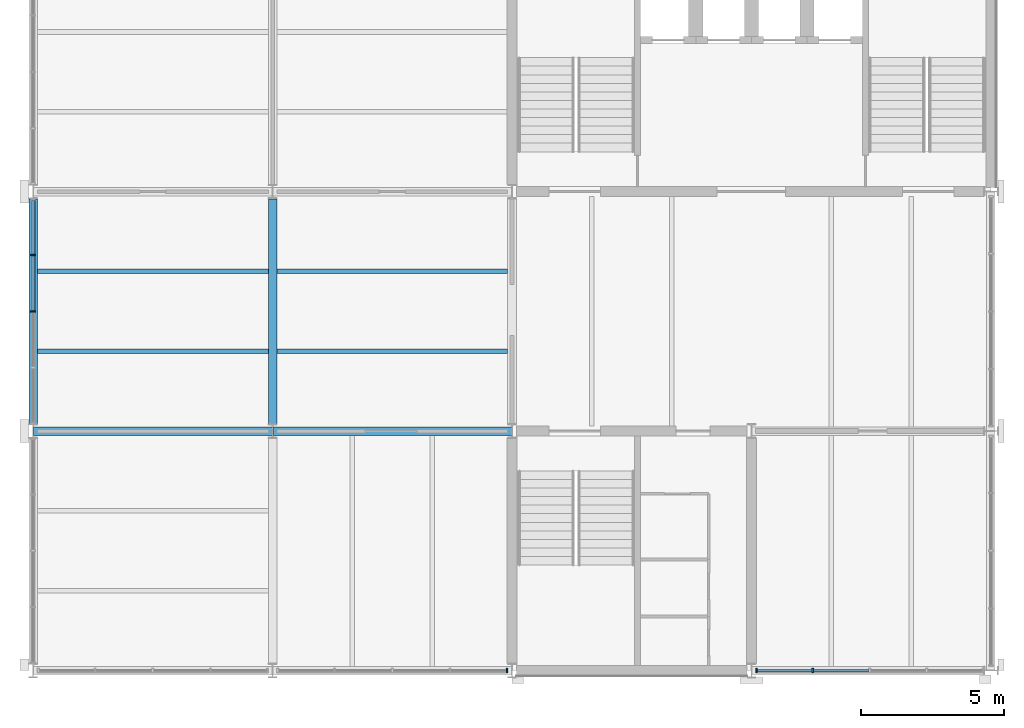
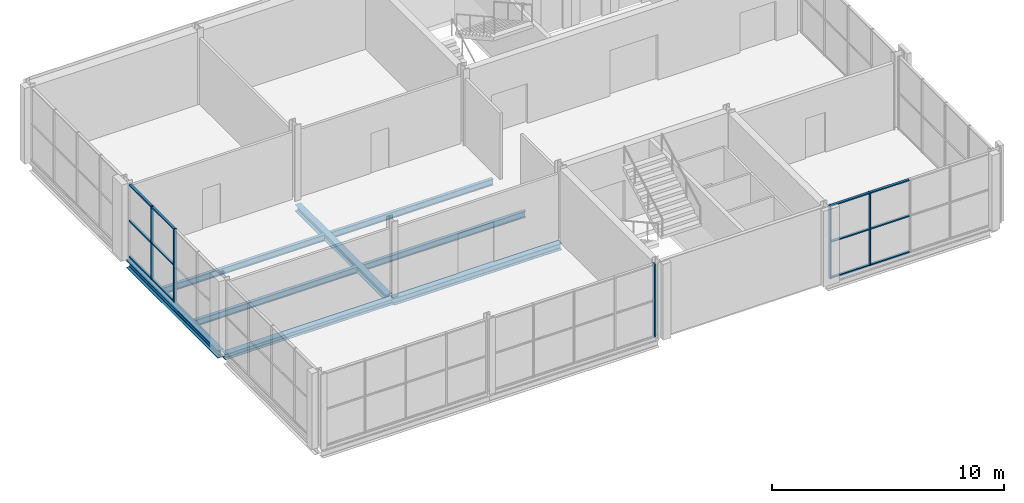
# One storey, part 3 of 12: 17 members, 8 beams, 3 elements without a shape of their own.
"""IFC4 building model written with IfcOpenShell, lengths in metres."""

from ifc_helpers import new_model, si_unit, direction, frame, origin, origin_2d, place, context, subcontext, project, spatial, rectangle, i_section, extrude, material, layer, layer_set, material_profile, profile_set, type_object, element, aggregate, save


model = new_model("IFC4")

# Units and contexts
model_context = context("Model", 3, precision=1e-05, world=origin(), true_north=direction((0.0, 1.0)))
body_context = subcontext(model_context, "Body", "Model", "MODEL_VIEW")
ifc_project = project(units=[si_unit("LENGTHUNIT", "METRE"), si_unit("AREAUNIT", "SQUARE_METRE"), si_unit("VOLUMEUNIT", "CUBIC_METRE"), si_unit("PLANEANGLEUNIT", "RADIAN"), si_unit("MASSUNIT", "GRAM", prefix="KILO")], contexts=[model_context])

# Site, building, storey
site_placement = place(None, origin())
site = spatial("IfcSite", under=ifc_project, at=site_placement, CompositionType="ELEMENT")
building_placement = place(site_placement, origin())
building = spatial("IfcBuilding", under=site, at=building_placement, Name="Galleria Vessillo Department Store", CompositionType="ELEMENT")
storey_placement = place(building_placement, frame((0.0, 0.0, 39.60009765625)))
storey = spatial("IfcBuildingStorey", under=building, at=storey_placement, Name="L08", CompositionType="ELEMENT", Elevation=39.60009765625)

# Curtain wall, members
ifc_material_1 = material(Name="Aluminium and glass curtain wall", Category="aluminium")
ifc_layer = layer(ifc_material_1, 0.159912109375)
ifc_layer_set = layer_set([ifc_layer], Name="Aluminium and glass curtain wall")
curtain_wall_type = type_object("IfcCurtainWallType", Name="Tower curtain wall CW4 2100 module", PredefinedType="NOTDEFINED", material=ifc_layer_set)
curtain_wall_1_placement = place(storey_placement, origin())
curtain_wall_1 = element("IfcCurtainWall", 1, at=curtain_wall_1_placement, inside=storey, type_object=curtain_wall_type, Name="Tower curtain wall CW4 2100 module TW-L08-02", PredefinedType="NOTDEFINED")
ifc_material_2 = material(Name="Aluminium alloy 6063 T6", Category="aluminium")
ifc_material_profile_1 = material_profile(ifc_material_2, rectangle(XDim=0.159912109375, YDim=0.06005859375, at=origin_2d()), Name="AL 60x160")
ifc_profile_set_1 = profile_set([ifc_material_profile_1], Name="Aluminium alloy 6063 T6")
member_type_1 = type_object("IfcMemberType", Name="Aluminium mullion 60 x 160", PredefinedType="MULLION", material=ifc_profile_set_1)
member_1_placement = place(storey_placement, frame((84.0, 50.39990234375, 0.0), z_axis=(0.0, 0.0, 1.0), x_axis=(-1.0, 0.0, 0.0)))
member_1 = element("IfcMember", 2, at=member_1_placement, type_object=member_type_1, Name="CW4 mullion 3", PredefinedType="MULLION", context=body_context, shape_type="SweptSolid", body=[
    extrude(rectangle(XDim=0.159912109375, YDim=0.06005859375, at=origin_2d()), origin(), (0.0, 0.0, 1.0), 3.85009765625),
])
member_2_placement = place(storey_placement, frame((84.0, 52.375, 0.0), z_axis=(0.0, 0.0, 1.0), x_axis=(-1.0, 0.0, 0.0)))
member_2 = element("IfcMember", 3, at=member_2_placement, type_object=member_type_1, Name="CW4 mullion 4", PredefinedType="MULLION", context=body_context, shape_type="SweptSolid", body=[
    extrude(rectangle(XDim=0.159912109375, YDim=0.06005859375, at=origin_2d()), origin(), (0.0, 0.0, 1.0), 3.85009765625),
])

# Curtain wall, member
curtain_wall_2_placement = place(storey_placement, origin())
curtain_wall_2 = element("IfcCurtainWall", 4, at=curtain_wall_2_placement, inside=storey, type_object=curtain_wall_type, Name="Tower curtain wall CW4 2100 module TS-L08-02", PredefinedType="NOTDEFINED")
member_3_placement = place(storey_placement, frame((100.6201171875, 37.800048828125, 0.0), z_axis=(0.0, 0.0, 1.0), x_axis=(0.0, 1.0, 0.0)))
member_3 = element("IfcMember", 5, at=member_3_placement, type_object=member_type_1, Name="CW4 mullion 5", PredefinedType="MULLION", context=body_context, shape_type="SweptSolid", body=[
    extrude(rectangle(XDim=0.159912109375, YDim=0.06005859375, at=origin_2d()), origin(), (0.0, 0.0, 1.0), 3.85009765625),
])
aggregate(curtain_wall_2, [member_3])

# Curtain wall, members
curtain_wall_3_placement = place(storey_placement, origin())
curtain_wall_3 = element("IfcCurtainWall", 6, at=curtain_wall_3_placement, inside=storey, type_object=curtain_wall_type, Name="Tower curtain wall CW4 2100 module TS-L08-03", PredefinedType="NOTDEFINED")
member_4_placement = place(storey_placement, frame((109.3798828125, 37.800048828125, 0.0), z_axis=(0.0, 0.0, 1.0), x_axis=(0.0, 1.0, 0.0)))
member_4 = element("IfcMember", 7, at=member_4_placement, type_object=member_type_1, Name="CW4 mullion 1", PredefinedType="MULLION", context=body_context, shape_type="SweptSolid", body=[
    extrude(rectangle(XDim=0.159912109375, YDim=0.06005859375, at=origin_2d()), origin(), (0.0, 0.0, 1.0), 3.85009765625),
])
member_5_placement = place(storey_placement, frame((111.349853515625, 37.800048828125, 0.0), z_axis=(0.0, 0.0, 1.0), x_axis=(0.0, 1.0, 0.0)))
member_5 = element("IfcMember", 8, at=member_5_placement, type_object=member_type_1, Name="CW4 mullion 2", PredefinedType="MULLION", context=body_context, shape_type="SweptSolid", body=[
    extrude(rectangle(XDim=0.159912109375, YDim=0.06005859375, at=origin_2d()), origin(), (0.0, 0.0, 1.0), 3.85009765625),
])

# Member
ifc_material_3 = material(Name="Aluminium alloy 6063 T6", Category="aluminium")
ifc_material_profile_2 = material_profile(ifc_material_3, rectangle(XDim=0.1201171875, YDim=0.06005859375, at=origin_2d()), Name="AL 60x120")
ifc_profile_set_2 = profile_set([ifc_material_profile_2], Name="Aluminium alloy 6063 T6")
member_type_2 = type_object("IfcMemberType", Name="Aluminium transom 60 x 120", PredefinedType="USERDEFINED", material=ifc_profile_set_2)
member_6_placement = place(storey_placement, frame((84.0, 50.429931640625, 0.030029296875), z_axis=(0.0, 1.0, 0.0), x_axis=(-1.0, 0.0, 0.0)))
member_6 = element("IfcMember", 9, at=member_6_placement, type_object=member_type_2, Name="CW4 transom 3.1", ObjectType="TRANSOM", PredefinedType="USERDEFINED", context=body_context, shape_type="SweptSolid", body=[
    extrude(rectangle(XDim=0.1201171875, YDim=0.06005859375, at=origin_2d()), origin(), (0.0, 0.0, 1.0), 1.9150390625),
])

member_7_placement = place(storey_placement, frame((84.0, 50.429931640625, 1.925048828125), z_axis=(0.0, 1.0, 0.0), x_axis=(-1.0, 0.0, 0.0)))
member_7 = element("IfcMember", 10, at=member_7_placement, type_object=member_type_2, Name="CW4 transom 3.2", ObjectType="TRANSOM", PredefinedType="USERDEFINED", context=body_context, shape_type="SweptSolid", body=[
    extrude(rectangle(XDim=0.1201171875, YDim=0.06005859375, at=origin_2d()), origin(), (0.0, 0.0, 1.0), 1.9150390625),
])

member_8_placement = place(storey_placement, frame((84.0, 50.429931640625, 3.820068359375), z_axis=(0.0, 1.0, 0.0), x_axis=(-1.0, 0.0, 0.0)))
member_8 = element("IfcMember", 11, at=member_8_placement, type_object=member_type_2, Name="CW4 transom 3.3", ObjectType="TRANSOM", PredefinedType="USERDEFINED", context=body_context, shape_type="SweptSolid", body=[
    extrude(rectangle(XDim=0.1201171875, YDim=0.06005859375, at=origin_2d()), origin(), (0.0, 0.0, 1.0), 1.9150390625),
])

member_9_placement = place(storey_placement, frame((84.0, 52.405029296875, 0.030029296875), z_axis=(0.0, 1.0, 0.0), x_axis=(-1.0, 0.0, 0.0)))
member_9 = element("IfcMember", 12, at=member_9_placement, type_object=member_type_2, Name="CW4 transom 4.1", ObjectType="TRANSOM", PredefinedType="USERDEFINED", context=body_context, shape_type="SweptSolid", body=[
    extrude(rectangle(XDim=0.1201171875, YDim=0.06005859375, at=origin_2d()), origin(), (0.0, 0.0, 1.0), 1.885009765625),
])

member_10_placement = place(storey_placement, frame((84.0, 52.405029296875, 1.925048828125), z_axis=(0.0, 1.0, 0.0), x_axis=(-1.0, 0.0, 0.0)))
member_10 = element("IfcMember", 13, at=member_10_placement, type_object=member_type_2, Name="CW4 transom 4.2", ObjectType="TRANSOM", PredefinedType="USERDEFINED", context=body_context, shape_type="SweptSolid", body=[
    extrude(rectangle(XDim=0.1201171875, YDim=0.06005859375, at=origin_2d()), origin(), (0.0, 0.0, 1.0), 1.885009765625),
])

member_11_placement = place(storey_placement, frame((84.0, 52.405029296875, 3.820068359375), z_axis=(0.0, 1.0, 0.0), x_axis=(-1.0, 0.0, 0.0)))
member_11 = element("IfcMember", 14, at=member_11_placement, type_object=member_type_2, Name="CW4 transom 4.3", ObjectType="TRANSOM", PredefinedType="USERDEFINED", context=body_context, shape_type="SweptSolid", body=[
    extrude(rectangle(XDim=0.1201171875, YDim=0.06005859375, at=origin_2d()), origin(), (0.0, 0.0, 1.0), 1.885009765625),
])

aggregate(curtain_wall_1, [member_1, member_2, member_6, member_7, member_8, member_9, member_10, member_11])

member_12_placement = place(storey_placement, frame((109.409912109375, 37.800048828125, 0.030029296875), z_axis=(1.0, 0.0, 0.0), x_axis=(0.0, 1.0, 0.0)))
member_12 = element("IfcMember", 15, at=member_12_placement, type_object=member_type_2, Name="CW4 transom 1.1", ObjectType="TRANSOM", PredefinedType="USERDEFINED", context=body_context, shape_type="SweptSolid", body=[
    extrude(rectangle(XDim=0.1201171875, YDim=0.06005859375, at=origin_2d()), origin(), (0.0, 0.0, 1.0), 1.909912109375),
])

member_13_placement = place(storey_placement, frame((109.409912109375, 37.800048828125, 1.925048828125), z_axis=(1.0, 0.0, 0.0), x_axis=(0.0, 1.0, 0.0)))
member_13 = element("IfcMember", 16, at=member_13_placement, type_object=member_type_2, Name="CW4 transom 1.2", ObjectType="TRANSOM", PredefinedType="USERDEFINED", context=body_context, shape_type="SweptSolid", body=[
    extrude(rectangle(XDim=0.1201171875, YDim=0.06005859375, at=origin_2d()), origin(), (0.0, 0.0, 1.0), 1.909912109375),
])

member_14_placement = place(storey_placement, frame((109.409912109375, 37.800048828125, 3.820068359375), z_axis=(1.0, 0.0, 0.0), x_axis=(0.0, 1.0, 0.0)))
member_14 = element("IfcMember", 17, at=member_14_placement, type_object=member_type_2, Name="CW4 transom 1.3", ObjectType="TRANSOM", PredefinedType="USERDEFINED", context=body_context, shape_type="SweptSolid", body=[
    extrude(rectangle(XDim=0.1201171875, YDim=0.06005859375, at=origin_2d()), origin(), (0.0, 0.0, 1.0), 1.909912109375),
])

member_15_placement = place(storey_placement, frame((111.3798828125, 37.800048828125, 0.030029296875), z_axis=(1.0, 0.0, 0.0), x_axis=(0.0, 1.0, 0.0)))
member_15 = element("IfcMember", 18, at=member_15_placement, type_object=member_type_2, Name="CW4 transom 2.1", ObjectType="TRANSOM", PredefinedType="USERDEFINED", context=body_context, shape_type="SweptSolid", body=[
    extrude(rectangle(XDim=0.1201171875, YDim=0.06005859375, at=origin_2d()), origin(), (0.0, 0.0, 1.0), 1.940185546875),
])

member_16_placement = place(storey_placement, frame((111.3798828125, 37.800048828125, 1.925048828125), z_axis=(1.0, 0.0, 0.0), x_axis=(0.0, 1.0, 0.0)))
member_16 = element("IfcMember", 19, at=member_16_placement, type_object=member_type_2, Name="CW4 transom 2.2", ObjectType="TRANSOM", PredefinedType="USERDEFINED", context=body_context, shape_type="SweptSolid", body=[
    extrude(rectangle(XDim=0.1201171875, YDim=0.06005859375, at=origin_2d()), origin(), (0.0, 0.0, 1.0), 1.940185546875),
])

member_17_placement = place(storey_placement, frame((111.3798828125, 37.800048828125, 3.820068359375), z_axis=(1.0, 0.0, 0.0), x_axis=(0.0, 1.0, 0.0)))
member_17 = element("IfcMember", 20, at=member_17_placement, type_object=member_type_2, Name="CW4 transom 2.3", ObjectType="TRANSOM", PredefinedType="USERDEFINED", context=body_context, shape_type="SweptSolid", body=[
    extrude(rectangle(XDim=0.1201171875, YDim=0.06005859375, at=origin_2d()), origin(), (0.0, 0.0, 1.0), 1.940185546875),
])

aggregate(curtain_wall_3, [member_4, member_5, member_12, member_13, member_14, member_15, member_16, member_17])

# Beams
ifc_material_4 = material(Name="Steel S355 J2", Category="steel")
ifc_material_profile_3 = material_profile(ifc_material_4, i_section(OverallWidth=0.300048828125, OverallDepth=0.35009765625, WebThickness=0.010009765625, FlangeThickness=0.017578125, FilletRadius=0.027099609375, at=origin_2d()), Name="HEA 360")
ifc_profile_set_3 = profile_set([ifc_material_profile_3], Name="Steel S355 J2")
beam_type_1 = type_object("IfcBeamType", Name="Floor girder HEA 360", PredefinedType="BEAM", material=ifc_profile_set_3)
beam_1_placement = place(storey_placement, frame((92.407470703125, 46.199951171875, -0.324951171875), z_axis=(1.0, 0.0, 0.0), x_axis=(0.0, 1.0, 0.0)))
element("IfcBeam", 21, at=beam_1_placement, inside=storey, type_object=beam_type_1, Name="S-BM-L08-GI-x46200-92407", PredefinedType="BEAM", context=body_context, shape_type="SweptSolid", body=[
    extrude(i_section(OverallWidth=0.300048828125, OverallDepth=0.35009765625, WebThickness=0.010009765625, FlangeThickness=0.017578125, FilletRadius=0.027099609375, at=origin_2d()), origin(), (0.0, 0.0, 1.0), 8.38525390625),
])
beam_2_placement = place(storey_placement, frame((92.39990234375, 46.4501953125, -0.324951171875), z_axis=(0.0, 1.0, 0.0), x_axis=(-1.0, 0.0, 0.0)))
element("IfcBeam", 22, at=beam_2_placement, inside=storey, type_object=beam_type_1, Name="S-BM-L08-GI-y92400-46450", PredefinedType="BEAM", context=body_context, shape_type="SweptSolid", body=[
    extrude(i_section(OverallWidth=0.300048828125, OverallDepth=0.35009765625, WebThickness=0.010009765625, FlangeThickness=0.017578125, FilletRadius=0.027099609375, at=origin_2d()), origin(), (0.0, 0.0, 1.0), 7.899658203125),
])
ifc_material_5 = material(Name="Steel S355 J2", Category="steel")
ifc_material_profile_4 = material_profile(ifc_material_5, i_section(OverallWidth=0.159912109375, OverallDepth=0.330078125, WebThickness=0.007568359375, FlangeThickness=0.011474609375, FilletRadius=0.01806640625, at=origin_2d()), Name="IPE 330")
ifc_profile_set_4 = profile_set([ifc_material_profile_4], Name="Steel S355 J2")
beam_type_2 = type_object("IfcBeamType", Name="Floor joist IPE 330", PredefinedType="JOIST", material=ifc_profile_set_4)
for number, where, z_axis, x_axis, name in (
    (23, (84.150146484375, 49.0, -0.31494140625), (1.0, 0.0, 0.0), (0.0, 1.0, 0.0), "S-BM-L08-JO-x49000-84150"),
    (24, (84.150146484375, 51.800048828125, -0.31494140625), (1.0, 0.0, 0.0), (0.0, 1.0, 0.0), "S-BM-L08-JO-x51800-84150"),
):
    element("IfcBeam", number, at=place(storey_placement, frame(where, z_axis=z_axis, x_axis=x_axis)), inside=storey, type_object=beam_type_2, Name=name, PredefinedType="JOIST", context=body_context, shape_type="SweptSolid", body=[
        extrude(i_section(OverallWidth=0.159912109375, OverallDepth=0.330078125, WebThickness=0.007568359375, FlangeThickness=0.011474609375, FilletRadius=0.01806640625, at=origin_2d()), origin(), (0.0, 0.0, 1.0), 8.099609375),
    ])
for number, where, z_axis, x_axis, name in (
    (25, (92.550048828125, 49.0, -0.31494140625), (1.0, 0.0, 0.0), (0.0, 1.0, 0.0), "S-BM-L08-JO-x49000-92550"),
    (26, (92.550048828125, 51.800048828125, -0.31494140625), (1.0, 0.0, 0.0), (0.0, 1.0, 0.0), "S-BM-L08-JO-x51800-92550"),
):
    element("IfcBeam", number, at=place(storey_placement, frame(where, z_axis=z_axis, x_axis=x_axis)), inside=storey, type_object=beam_type_2, Name=name, PredefinedType="JOIST", context=body_context, shape_type="SweptSolid", body=[
        extrude(i_section(OverallWidth=0.159912109375, OverallDepth=0.330078125, WebThickness=0.007568359375, FlangeThickness=0.011474609375, FilletRadius=0.01806640625, at=origin_2d()), origin(), (0.0, 0.0, 1.0), 8.099853515625),
    ])
ifc_material_6 = material(Name="Steel S355 J2", Category="steel")
ifc_material_profile_5 = material_profile(ifc_material_6, i_section(OverallWidth=0.300048828125, OverallDepth=0.2900390625, WebThickness=0.008544921875, FlangeThickness=0.013916015625, FilletRadius=0.027099609375, at=origin_2d()), Name="HEA 300")
ifc_profile_set_5 = profile_set([ifc_material_profile_5], Name="Steel S355 J2")
beam_type_3 = type_object("IfcBeamType", Name="Floor tie girder HEA 300", PredefinedType="BEAM", material=ifc_profile_set_5)
beam_3_placement = place(storey_placement, frame((84.00732421875, 46.199951171875, -0.294921875), z_axis=(1.0, 0.0, 0.0), x_axis=(0.0, 1.0, 0.0)))
element("IfcBeam", 27, at=beam_3_placement, inside=storey, type_object=beam_type_3, Name="S-BM-L08-TI-x46200-84007", PredefinedType="BEAM", context=body_context, shape_type="SweptSolid", body=[
    extrude(i_section(OverallWidth=0.300048828125, OverallDepth=0.2900390625, WebThickness=0.008544921875, FlangeThickness=0.013916015625, FilletRadius=0.027099609375, at=origin_2d()), origin(), (0.0, 0.0, 1.0), 8.38525390625),
])
ifc_material_7 = material(Name="Steel S355 J2", Category="steel")
ifc_material_profile_6 = material_profile(ifc_material_7, i_section(OverallWidth=0.300048828125, OverallDepth=0.389892578125, WebThickness=0.010986328125, FlangeThickness=0.01904296875, FilletRadius=0.027099609375, at=origin_2d()), Name="HEA 400")
ifc_profile_set_6 = profile_set([ifc_material_profile_6], Name="Steel S355 J2")
beam_type_4 = type_object("IfcBeamType", Name="Trimmer beam HEA 400", PredefinedType="BEAM", material=ifc_profile_set_6)
beam_4_placement = place(storey_placement, frame((84.0, 46.4501953125, -0.344970703125), z_axis=(0.0, 1.0, 0.0), x_axis=(-1.0, 0.0, 0.0)))
element("IfcBeam", 28, at=beam_4_placement, inside=storey, type_object=beam_type_4, Name="S-BM-L08-TR-y84000-46450", PredefinedType="BEAM", context=body_context, shape_type="SweptSolid", body=[
    extrude(i_section(OverallWidth=0.300048828125, OverallDepth=0.389892578125, WebThickness=0.010986328125, FlangeThickness=0.01904296875, FilletRadius=0.027099609375, at=origin_2d()), origin(), (0.0, 0.0, 1.0), 7.899658203125),
])

save(model, "model.ifc")
